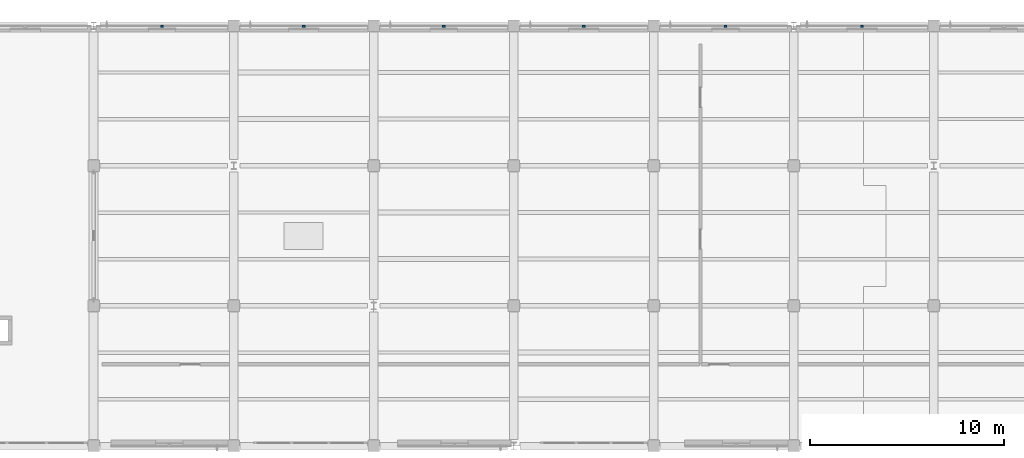
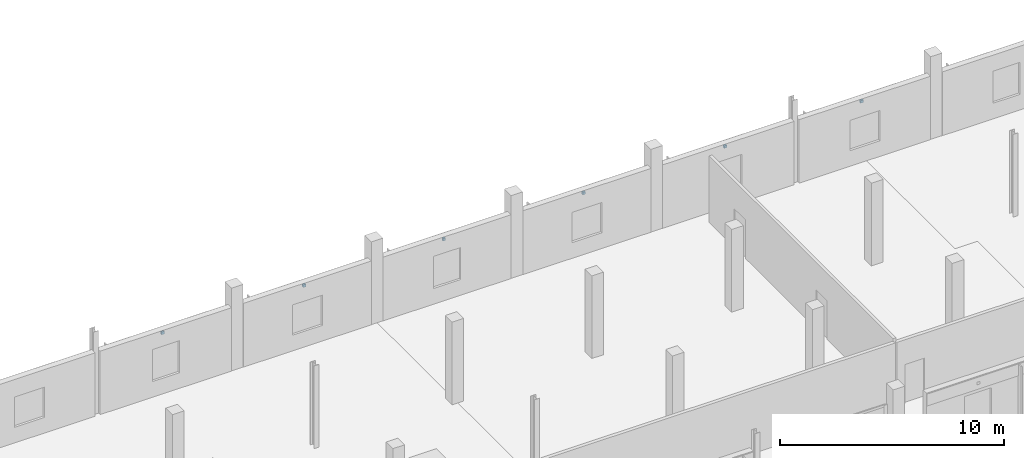
# One storey, part 103 of 123: 6 discrete accessories.
"""IFC4 building model written with IfcOpenShell, lengths in metres."""

from ifc_helpers import new_model, si_unit, direction, frame, origin, origin_2d, place, context, subcontext, project, spatial, rectangle, extrude, material, type_object, element, save


model = new_model("IFC4")

# Units and contexts
model_context = context("Model", 3, precision=1e-05, world=origin(), true_north=direction((0.0, 1.0)))
body_context = subcontext(model_context, "Body", "Model", "MODEL_VIEW")
ifc_project = project(units=[si_unit("LENGTHUNIT", "METRE"), si_unit("AREAUNIT", "SQUARE_METRE"), si_unit("VOLUMEUNIT", "CUBIC_METRE"), si_unit("PLANEANGLEUNIT", "RADIAN"), si_unit("MASSUNIT", "GRAM", prefix="KILO")], contexts=[model_context])

# Site, building, storey
site_placement = place(None, origin())
site = spatial("IfcSite", under=ifc_project, at=site_placement, CompositionType="ELEMENT")
building_placement = place(site_placement, origin())
building = spatial("IfcBuilding", under=site, at=building_placement, Name="Kalmorath City Hall", CompositionType="ELEMENT")
storey_placement = place(building_placement, frame((0.0, 0.0, 10.199951171875)))
storey = spatial("IfcBuildingStorey", under=building, at=storey_placement, Name="L02", CompositionType="ELEMENT", Elevation=10.199951171875)

# Discrete accessories
ifc_material = material(Name="Stainless steel Grade 316", Category="steel")
discrete_accessory_type = type_object("IfcDiscreteAccessoryType", Name="Stainless rainscreen support bracket", PredefinedType="BRACKET", material=ifc_material)
for number, where, z_axis, x_axis, name in (
    (1, (68.3134765625, 115.18994140625, 3.03125), (0.0, 0.0, 1.0), (1.0, 0.0, 0.0), "L02 basalt anchor bracket #44"),
    (2, (75.60009765625, 115.18994140625, 3.05126953125), (0.0, 0.0, 1.0), (1.0, 0.0, 0.0), "L02 basalt anchor bracket #45"),
    (3, (82.800048828125, 115.18994140625, 3.05126953125), (0.0, 0.0, 1.0), (1.0, 0.0, 0.0), "L02 basalt anchor bracket #46"),
    (4, (90.0, 115.18994140625, 3.05126953125), (0.0, 0.0, 1.0), (1.0, 0.0, 0.0), "L02 basalt anchor bracket #47"),
    (5, (97.28662109375, 115.18994140625, 3.03125), (0.0, 0.0, 1.0), (1.0, 0.0, 0.0), "L02 basalt anchor bracket #48"),
    (6, (104.3134765625, 115.18994140625, 3.03125), (0.0, 0.0, 1.0), (1.0, 0.0, 0.0), "L02 basalt anchor bracket #49"),
):
    element("IfcDiscreteAccessory", number, at=place(storey_placement, frame(where, z_axis=z_axis, x_axis=x_axis)), inside=storey, type_object=discrete_accessory_type, Name=name, PredefinedType="BRACKET", context=body_context, shape_type="SweptSolid", body=[
        extrude(rectangle(XDim=0.139892578125, YDim=0.10009765625, at=origin_2d()), origin(), (0.0, 0.0, 1.0), 0.139892578125),
    ])

save(model, "model.ifc")
